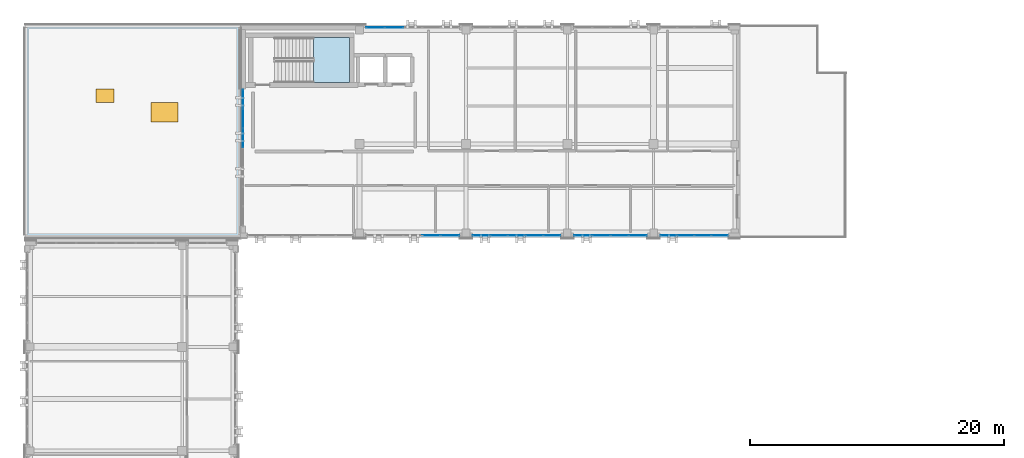
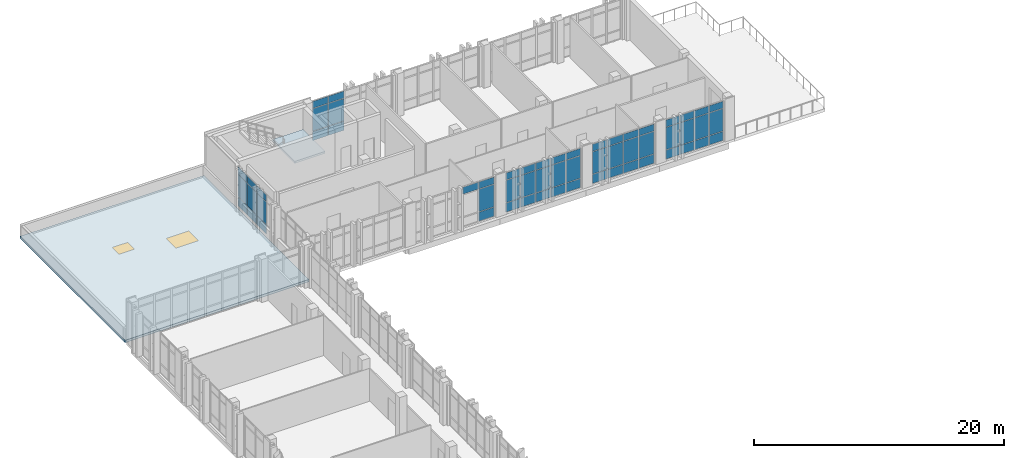
# One storey, part 64 of 90: 58 plates, 2 slabs, 1 door, 1 window, 2 openings, 7 elements without a shape of their own.
"""IFC4 building model written with IfcOpenShell, lengths in metres."""

from ifc_helpers import new_model, si_unit, direction, frame, origin, origin_2d, place, context, subcontext, project, spatial, polyline, rectangle, outline, extrude, material, layer, layer_set, type_object, element, fill, aggregate, save


model = new_model("IFC4")

# Units and contexts
model_context = context("Model", 3, precision=1e-05, world=origin(), true_north=direction((0.0, 1.0)))
body_context = subcontext(model_context, "Body", "Model", "MODEL_VIEW")
ifc_project = project(units=[si_unit("LENGTHUNIT", "METRE"), si_unit("AREAUNIT", "SQUARE_METRE"), si_unit("VOLUMEUNIT", "CUBIC_METRE"), si_unit("PLANEANGLEUNIT", "RADIAN"), si_unit("MASSUNIT", "GRAM", prefix="KILO")], contexts=[model_context])

# Site, building, storey
site_placement = place(None, origin())
site = spatial("IfcSite", under=ifc_project, at=site_placement, CompositionType="ELEMENT")
building_placement = place(site_placement, origin())
building = spatial("IfcBuilding", under=site, at=building_placement, Name="Qalavern Law Courts", CompositionType="ELEMENT")
storey_placement = place(building_placement, frame((0.0, 0.0, 22.800048828125)))
storey = spatial("IfcBuildingStorey", under=building, at=storey_placement, Name="L05", CompositionType="ELEMENT", Elevation=22.800048828125)

# Curtain wall, plates
ifc_material_1 = material(Name="Anodised aluminium and insulated glazing", Category="aluminium")
ifc_layer_1 = layer(ifc_material_1, 0.166015625)
ifc_layer_set_1 = layer_set([ifc_layer_1], Name="Anodised aluminium and insulated glazing")
curtain_wall_type = type_object("IfcCurtainWallType", Name="ENV-CW-LIB", PredefinedType="USERDEFINED", material=ifc_layer_set_1)
curtain_wall_1_placement = place(storey_placement, origin())
curtain_wall_1 = element("IfcCurtainWall", 1, at=curtain_wall_1_placement, inside=storey, type_object=curtain_wall_type, Name="V5 unitised curtain wall L05 west 1", ObjectType="UNITISED CURTAIN WALL", PredefinedType="USERDEFINED")
ifc_material_2 = material(Name="Insulated low-E acoustic glazing", Category="glass")
ifc_layer_2 = layer(ifc_material_2, 0.028076171875)
ifc_layer_set_2 = layer_set([ifc_layer_2], Name="Insulated low-E acoustic glazing")
plate_type_1 = type_object("IfcPlateType", Name="ENV-CWP-28", PredefinedType="CURTAIN_PANEL", material=ifc_layer_set_2)
plate_1_placement = place(storey_placement, frame((19.21240234375, 107.1650390625, 0.048095703125), z_axis=(0.0, 0.0, 1.0), x_axis=(0.0, -1.0, 0.0)))
plate_1 = element("IfcPlate", 2, at=plate_1_placement, type_object=plate_type_1, Name="CW-05 panel 1.1", PredefinedType="CURTAIN_PANEL", context=body_context, shape_type="SweptSolid", body=[
    extrude(rectangle(XDim=1.4736328125, YDim=0.028076171875, at=origin_2d()), origin(), (0.0, 0.0, 1.0), 0.8779296875),
])
plate_2_placement = place(storey_placement, frame((19.21240234375, 107.1650390625, 0.97412109375), z_axis=(0.0, 0.0, 1.0), x_axis=(0.0, -1.0, 0.0)))
plate_2 = element("IfcPlate", 3, at=plate_2_placement, type_object=plate_type_1, Name="CW-05 panel 1.2", PredefinedType="CURTAIN_PANEL", context=body_context, shape_type="SweptSolid", body=[
    extrude(rectangle(XDim=1.4736328125, YDim=0.028076171875, at=origin_2d()), origin(), (0.0, 0.0, 1.0), 2.181884765625),
])
plate_3_placement = place(storey_placement, frame((19.21240234375, 107.1650390625, 3.2041015625), z_axis=(0.0, 0.0, 1.0), x_axis=(0.0, -1.0, 0.0)))
plate_3 = element("IfcPlate", 4, at=plate_3_placement, type_object=plate_type_1, Name="CW-05 panel 1.3", PredefinedType="CURTAIN_PANEL", context=body_context, shape_type="SweptSolid", body=[
    extrude(rectangle(XDim=1.4736328125, YDim=0.028076171875, at=origin_2d()), origin(), (0.0, 0.0, 1.0), 0.677978515625),
])
plate_4_placement = place(storey_placement, frame((19.21240234375, 105.63134765625, 0.048095703125), z_axis=(0.0, 0.0, 1.0), x_axis=(0.0, -1.0, 0.0)))
plate_4 = element("IfcPlate", 5, at=plate_4_placement, type_object=plate_type_1, Name="CW-05 panel 2.1", PredefinedType="CURTAIN_PANEL", context=body_context, shape_type="SweptSolid", body=[
    extrude(rectangle(XDim=1.497802734375, YDim=0.028076171875, at=origin_2d()), origin(), (0.0, 0.0, 1.0), 0.8779296875),
])
plate_5_placement = place(storey_placement, frame((19.21240234375, 105.63134765625, 0.97412109375), z_axis=(0.0, 0.0, 1.0), x_axis=(0.0, -1.0, 0.0)))
plate_5 = element("IfcPlate", 6, at=plate_5_placement, type_object=plate_type_1, Name="CW-05 panel 2.2", PredefinedType="CURTAIN_PANEL", context=body_context, shape_type="SweptSolid", body=[
    extrude(rectangle(XDim=1.497802734375, YDim=0.028076171875, at=origin_2d()), origin(), (0.0, 0.0, 1.0), 2.181884765625),
])
plate_6_placement = place(storey_placement, frame((19.21240234375, 105.63134765625, 3.2041015625), z_axis=(0.0, 0.0, 1.0), x_axis=(0.0, -1.0, 0.0)))
plate_6 = element("IfcPlate", 7, at=plate_6_placement, type_object=plate_type_1, Name="CW-05 panel 2.3", PredefinedType="CURTAIN_PANEL", context=body_context, shape_type="SweptSolid", body=[
    extrude(rectangle(XDim=1.497802734375, YDim=0.028076171875, at=origin_2d()), origin(), (0.0, 0.0, 1.0), 0.677978515625),
])
plate_7_placement = place(storey_placement, frame((19.21240234375, 104.085693359375, 0.048095703125), z_axis=(0.0, 0.0, 1.0), x_axis=(0.0, -1.0, 0.0)))
plate_7 = element("IfcPlate", 8, at=plate_7_placement, type_object=plate_type_1, Name="CW-05 panel 3.1", PredefinedType="CURTAIN_PANEL", context=body_context, shape_type="SweptSolid", body=[
    extrude(rectangle(XDim=1.497802734375, YDim=0.028076171875, at=origin_2d()), origin(), (0.0, 0.0, 1.0), 0.8779296875),
])
plate_8_placement = place(storey_placement, frame((19.21240234375, 104.085693359375, 0.97412109375), z_axis=(0.0, 0.0, 1.0), x_axis=(0.0, -1.0, 0.0)))
plate_8 = element("IfcPlate", 9, at=plate_8_placement, type_object=plate_type_1, Name="CW-05 panel 3.2", PredefinedType="CURTAIN_PANEL", context=body_context, shape_type="SweptSolid", body=[
    extrude(rectangle(XDim=1.497802734375, YDim=0.028076171875, at=origin_2d()), origin(), (0.0, 0.0, 1.0), 2.181884765625),
])
plate_9_placement = place(storey_placement, frame((19.21240234375, 104.085693359375, 3.2041015625), z_axis=(0.0, 0.0, 1.0), x_axis=(0.0, -1.0, 0.0)))
plate_9 = element("IfcPlate", 10, at=plate_9_placement, type_object=plate_type_1, Name="CW-05 panel 3.3", PredefinedType="CURTAIN_PANEL", context=body_context, shape_type="SweptSolid", body=[
    extrude(rectangle(XDim=1.497802734375, YDim=0.028076171875, at=origin_2d()), origin(), (0.0, 0.0, 1.0), 0.677978515625),
])
aggregate(curtain_wall_1, [plate_1, plate_2, plate_3, plate_4, plate_5, plate_6, plate_7, plate_8, plate_9])

curtain_wall_2_placement = place(storey_placement, origin())
curtain_wall_2 = element("IfcCurtainWall", 11, at=curtain_wall_2_placement, inside=storey, type_object=curtain_wall_type, Name="V5 unitised curtain wall L05 south 2", ObjectType="UNITISED CURTAIN WALL", PredefinedType="USERDEFINED")
ifc_layer_3 = layer(ifc_material_2, 0.031982421875)
ifc_layer_set_3 = layer_set([ifc_layer_3], Name="Insulated low-E acoustic glazing")
plate_type_2 = type_object("IfcPlateType", Name="ENV-CWP-32", PredefinedType="CURTAIN_PANEL", material=ifc_layer_set_3)
plate_10_placement = place(storey_placement, frame((34.080078125, 96.392578125, 3.2041015625), z_axis=(0.0, 0.0, 1.0), x_axis=(1.0, 0.0, 0.0)))
plate_10 = element("IfcPlate", 12, at=plate_10_placement, type_object=plate_type_2, Name="CW-05 panel 4.3", PredefinedType="CURTAIN_PANEL", context=body_context, shape_type="SweptSolid", body=[
    extrude(rectangle(XDim=1.431884765625, YDim=0.031982421875, at=origin_2d()), origin(), (0.0, 0.0, 1.0), 0.677978515625),
])
plate_11_placement = place(storey_placement, frame((35.548095703125, 96.392578125, 0.048095703125), z_axis=(0.0, 0.0, 1.0), x_axis=(1.0, 0.0, 0.0)))
plate_11 = element("IfcPlate", 13, at=plate_11_placement, type_object=plate_type_2, Name="CW-05 panel 5.1", PredefinedType="CURTAIN_PANEL", context=body_context, shape_type="SweptSolid", body=[
    extrude(rectangle(XDim=1.407958984375, YDim=0.031982421875, at=origin_2d()), origin(), (0.0, 0.0, 1.0), 0.8779296875),
])
plate_12_placement = place(storey_placement, frame((35.548095703125, 96.392578125, 0.97412109375), z_axis=(0.0, 0.0, 1.0), x_axis=(1.0, 0.0, 0.0)))
plate_12 = element("IfcPlate", 14, at=plate_12_placement, type_object=plate_type_2, Name="CW-05 panel 5.2", PredefinedType="CURTAIN_PANEL", context=body_context, shape_type="SweptSolid", body=[
    extrude(rectangle(XDim=1.407958984375, YDim=0.031982421875, at=origin_2d()), origin(), (0.0, 0.0, 1.0), 2.181884765625),
])
plate_13_placement = place(storey_placement, frame((35.548095703125, 96.392578125, 3.2041015625), z_axis=(0.0, 0.0, 1.0), x_axis=(1.0, 0.0, 0.0)))
plate_13 = element("IfcPlate", 15, at=plate_13_placement, type_object=plate_type_2, Name="CW-05 panel 5.3", PredefinedType="CURTAIN_PANEL", context=body_context, shape_type="SweptSolid", body=[
    extrude(rectangle(XDim=1.407958984375, YDim=0.031982421875, at=origin_2d()), origin(), (0.0, 0.0, 1.0), 0.677978515625),
])
aggregate(curtain_wall_2, [plate_10, plate_11, plate_12, plate_13])

curtain_wall_3_placement = place(storey_placement, origin())
curtain_wall_3 = element("IfcCurtainWall", 16, at=curtain_wall_3_placement, inside=storey, type_object=curtain_wall_type, Name="V5 unitised curtain wall L05 south 3", ObjectType="UNITISED CURTAIN WALL", PredefinedType="USERDEFINED")
ifc_layer_4 = layer(ifc_material_2, 0.035888671875)
ifc_layer_set_4 = layer_set([ifc_layer_4], Name="Insulated low-E acoustic glazing")
plate_type_3 = type_object("IfcPlateType", Name="ENV-CWP-36", PredefinedType="CURTAIN_PANEL", material=ifc_layer_set_4)
plate_14_placement = place(storey_placement, frame((38.011962890625, 96.392578125, 0.048095703125), z_axis=(0.0, 0.0, 1.0), x_axis=(1.0, 0.0, 0.0)))
plate_14 = element("IfcPlate", 17, at=plate_14_placement, type_object=plate_type_3, Name="CW-05 panel 1.1", PredefinedType="CURTAIN_PANEL", context=body_context, shape_type="SweptSolid", body=[
    extrude(rectangle(XDim=1.327880859375, YDim=0.035888671875, at=origin_2d()), origin(), (0.0, 0.0, 1.0), 0.8779296875),
])
plate_15_placement = place(storey_placement, frame((38.011962890625, 96.392578125, 0.97412109375), z_axis=(0.0, 0.0, 1.0), x_axis=(1.0, 0.0, 0.0)))
plate_15 = element("IfcPlate", 18, at=plate_15_placement, type_object=plate_type_3, Name="CW-05 panel 1.2", PredefinedType="CURTAIN_PANEL", context=body_context, shape_type="SweptSolid", body=[
    extrude(rectangle(XDim=1.327880859375, YDim=0.035888671875, at=origin_2d()), origin(), (0.0, 0.0, 1.0), 2.181884765625),
])
plate_16_placement = place(storey_placement, frame((38.011962890625, 96.392578125, 3.2041015625), z_axis=(0.0, 0.0, 1.0), x_axis=(1.0, 0.0, 0.0)))
plate_16 = element("IfcPlate", 19, at=plate_16_placement, type_object=plate_type_3, Name="CW-05 panel 1.3", PredefinedType="CURTAIN_PANEL", context=body_context, shape_type="SweptSolid", body=[
    extrude(rectangle(XDim=1.327880859375, YDim=0.035888671875, at=origin_2d()), origin(), (0.0, 0.0, 1.0), 0.677978515625),
])
plate_17_placement = place(storey_placement, frame((39.39990234375, 96.392578125, 0.048095703125), z_axis=(0.0, 0.0, 1.0), x_axis=(1.0, 0.0, 0.0)))
plate_17 = element("IfcPlate", 20, at=plate_17_placement, type_object=plate_type_3, Name="CW-05 panel 2.1", PredefinedType="CURTAIN_PANEL", context=body_context, shape_type="SweptSolid", body=[
    extrude(rectangle(XDim=1.35205078125, YDim=0.035888671875, at=origin_2d()), origin(), (0.0, 0.0, 1.0), 0.8779296875),
])
plate_18_placement = place(storey_placement, frame((39.39990234375, 96.392578125, 0.97412109375), z_axis=(0.0, 0.0, 1.0), x_axis=(1.0, 0.0, 0.0)))
plate_18 = element("IfcPlate", 21, at=plate_18_placement, type_object=plate_type_3, Name="CW-05 panel 2.2", PredefinedType="CURTAIN_PANEL", context=body_context, shape_type="SweptSolid", body=[
    extrude(rectangle(XDim=1.35205078125, YDim=0.035888671875, at=origin_2d()), origin(), (0.0, 0.0, 1.0), 2.181884765625),
])
plate_19_placement = place(storey_placement, frame((39.39990234375, 96.392578125, 3.2041015625), z_axis=(0.0, 0.0, 1.0), x_axis=(1.0, 0.0, 0.0)))
plate_19 = element("IfcPlate", 22, at=plate_19_placement, type_object=plate_type_3, Name="CW-05 panel 2.3", PredefinedType="CURTAIN_PANEL", context=body_context, shape_type="SweptSolid", body=[
    extrude(rectangle(XDim=1.35205078125, YDim=0.035888671875, at=origin_2d()), origin(), (0.0, 0.0, 1.0), 0.677978515625),
])
plate_20_placement = place(storey_placement, frame((40.800048828125, 96.392578125, 0.048095703125), z_axis=(0.0, 0.0, 1.0), x_axis=(1.0, 0.0, 0.0)))
plate_20 = element("IfcPlate", 23, at=plate_20_placement, type_object=plate_type_3, Name="CW-05 panel 3.1", PredefinedType="CURTAIN_PANEL", context=body_context, shape_type="SweptSolid", body=[
    extrude(rectangle(XDim=1.35205078125, YDim=0.035888671875, at=origin_2d()), origin(), (0.0, 0.0, 1.0), 0.8779296875),
])
plate_21_placement = place(storey_placement, frame((40.800048828125, 96.392578125, 0.97412109375), z_axis=(0.0, 0.0, 1.0), x_axis=(1.0, 0.0, 0.0)))
plate_21 = element("IfcPlate", 24, at=plate_21_placement, type_object=plate_type_3, Name="CW-05 panel 3.2", PredefinedType="CURTAIN_PANEL", context=body_context, shape_type="SweptSolid", body=[
    extrude(rectangle(XDim=1.35205078125, YDim=0.035888671875, at=origin_2d()), origin(), (0.0, 0.0, 1.0), 2.181884765625),
])
plate_22_placement = place(storey_placement, frame((40.800048828125, 96.392578125, 3.2041015625), z_axis=(0.0, 0.0, 1.0), x_axis=(1.0, 0.0, 0.0)))
plate_22 = element("IfcPlate", 25, at=plate_22_placement, type_object=plate_type_3, Name="CW-05 panel 3.3", PredefinedType="CURTAIN_PANEL", context=body_context, shape_type="SweptSolid", body=[
    extrude(rectangle(XDim=1.35205078125, YDim=0.035888671875, at=origin_2d()), origin(), (0.0, 0.0, 1.0), 0.677978515625),
])
plate_23_placement = place(storey_placement, frame((42.199951171875, 96.392578125, 0.048095703125), z_axis=(0.0, 0.0, 1.0), x_axis=(1.0, 0.0, 0.0)))
plate_23 = element("IfcPlate", 26, at=plate_23_placement, type_object=plate_type_3, Name="CW-05 panel 4.1", PredefinedType="CURTAIN_PANEL", context=body_context, shape_type="SweptSolid", body=[
    extrude(rectangle(XDim=1.35205078125, YDim=0.035888671875, at=origin_2d()), origin(), (0.0, 0.0, 1.0), 0.8779296875),
])
plate_24_placement = place(storey_placement, frame((42.199951171875, 96.392578125, 0.97412109375), z_axis=(0.0, 0.0, 1.0), x_axis=(1.0, 0.0, 0.0)))
plate_24 = element("IfcPlate", 27, at=plate_24_placement, type_object=plate_type_3, Name="CW-05 panel 4.2", PredefinedType="CURTAIN_PANEL", context=body_context, shape_type="SweptSolid", body=[
    extrude(rectangle(XDim=1.35205078125, YDim=0.035888671875, at=origin_2d()), origin(), (0.0, 0.0, 1.0), 2.181884765625),
])
plate_25_placement = place(storey_placement, frame((42.199951171875, 96.392578125, 3.2041015625), z_axis=(0.0, 0.0, 1.0), x_axis=(1.0, 0.0, 0.0)))
plate_25 = element("IfcPlate", 28, at=plate_25_placement, type_object=plate_type_3, Name="CW-05 panel 4.3", PredefinedType="CURTAIN_PANEL", context=body_context, shape_type="SweptSolid", body=[
    extrude(rectangle(XDim=1.35205078125, YDim=0.035888671875, at=origin_2d()), origin(), (0.0, 0.0, 1.0), 0.677978515625),
])
plate_26_placement = place(storey_placement, frame((43.587890625, 96.392578125, 0.048095703125), z_axis=(0.0, 0.0, 1.0), x_axis=(1.0, 0.0, 0.0)))
plate_26 = element("IfcPlate", 29, at=plate_26_placement, type_object=plate_type_3, Name="CW-05 panel 5.1", PredefinedType="CURTAIN_PANEL", context=body_context, shape_type="SweptSolid", body=[
    extrude(rectangle(XDim=1.327880859375, YDim=0.035888671875, at=origin_2d()), origin(), (0.0, 0.0, 1.0), 0.8779296875),
])
plate_27_placement = place(storey_placement, frame((43.587890625, 96.392578125, 0.97412109375), z_axis=(0.0, 0.0, 1.0), x_axis=(1.0, 0.0, 0.0)))
plate_27 = element("IfcPlate", 30, at=plate_27_placement, type_object=plate_type_3, Name="CW-05 panel 5.2", PredefinedType="CURTAIN_PANEL", context=body_context, shape_type="SweptSolid", body=[
    extrude(rectangle(XDim=1.327880859375, YDim=0.035888671875, at=origin_2d()), origin(), (0.0, 0.0, 1.0), 2.181884765625),
])
plate_28_placement = place(storey_placement, frame((43.587890625, 96.392578125, 3.2041015625), z_axis=(0.0, 0.0, 1.0), x_axis=(1.0, 0.0, 0.0)))
plate_28 = element("IfcPlate", 31, at=plate_28_placement, type_object=plate_type_3, Name="CW-05 panel 5.3", PredefinedType="CURTAIN_PANEL", context=body_context, shape_type="SweptSolid", body=[
    extrude(rectangle(XDim=1.327880859375, YDim=0.035888671875, at=origin_2d()), origin(), (0.0, 0.0, 1.0), 0.677978515625),
])
aggregate(curtain_wall_3, [plate_14, plate_15, plate_16, plate_17, plate_18, plate_19, plate_20, plate_21, plate_22, plate_23, plate_24, plate_25, plate_26, plate_27, plate_28])

curtain_wall_4_placement = place(storey_placement, origin())
curtain_wall_4 = element("IfcCurtainWall", 32, at=curtain_wall_4_placement, inside=storey, type_object=curtain_wall_type, Name="V5 unitised curtain wall L05 south 4", ObjectType="UNITISED CURTAIN WALL", PredefinedType="USERDEFINED")
ifc_layer_5 = layer(ifc_material_2, 0.0400390625)
ifc_layer_set_5 = layer_set([ifc_layer_5], Name="Insulated low-E acoustic glazing")
plate_type_4 = type_object("IfcPlateType", Name="ENV-CWP-40", PredefinedType="CURTAIN_PANEL", material=ifc_layer_set_5)
plate_29_placement = place(storey_placement, frame((46.037109375, 96.392578125, 0.048095703125), z_axis=(0.0, 0.0, 1.0), x_axis=(1.0, 0.0, 0.0)))
plate_29 = element("IfcPlate", 33, at=plate_29_placement, type_object=plate_type_4, Name="CW-05 panel 1.1", PredefinedType="CURTAIN_PANEL", context=body_context, shape_type="SweptSolid", body=[
    extrude(rectangle(XDim=1.3779296875, YDim=0.0400390625, at=origin_2d()), origin(), (0.0, 0.0, 1.0), 0.8779296875),
])
plate_30_placement = place(storey_placement, frame((46.037109375, 96.392578125, 0.97412109375), z_axis=(0.0, 0.0, 1.0), x_axis=(1.0, 0.0, 0.0)))
plate_30 = element("IfcPlate", 34, at=plate_30_placement, type_object=plate_type_4, Name="CW-05 panel 1.2", PredefinedType="CURTAIN_PANEL", context=body_context, shape_type="SweptSolid", body=[
    extrude(rectangle(XDim=1.3779296875, YDim=0.0400390625, at=origin_2d()), origin(), (0.0, 0.0, 1.0), 2.181884765625),
])
plate_31_placement = place(storey_placement, frame((46.037109375, 96.392578125, 3.2041015625), z_axis=(0.0, 0.0, 1.0), x_axis=(1.0, 0.0, 0.0)))
plate_31 = element("IfcPlate", 35, at=plate_31_placement, type_object=plate_type_4, Name="CW-05 panel 1.3", PredefinedType="CURTAIN_PANEL", context=body_context, shape_type="SweptSolid", body=[
    extrude(rectangle(XDim=1.3779296875, YDim=0.0400390625, at=origin_2d()), origin(), (0.0, 0.0, 1.0), 0.677978515625),
])
plate_32_placement = place(storey_placement, frame((47.47509765625, 96.392578125, 0.048095703125), z_axis=(0.0, 0.0, 1.0), x_axis=(1.0, 0.0, 0.0)))
plate_32 = element("IfcPlate", 36, at=plate_32_placement, type_object=plate_type_4, Name="CW-05 panel 2.1", PredefinedType="CURTAIN_PANEL", context=body_context, shape_type="SweptSolid", body=[
    extrude(rectangle(XDim=1.402099609375, YDim=0.0400390625, at=origin_2d()), origin(), (0.0, 0.0, 1.0), 0.8779296875),
])
plate_33_placement = place(storey_placement, frame((47.47509765625, 96.392578125, 0.97412109375), z_axis=(0.0, 0.0, 1.0), x_axis=(1.0, 0.0, 0.0)))
plate_33 = element("IfcPlate", 37, at=plate_33_placement, type_object=plate_type_4, Name="CW-05 panel 2.2", PredefinedType="CURTAIN_PANEL", context=body_context, shape_type="SweptSolid", body=[
    extrude(rectangle(XDim=1.402099609375, YDim=0.0400390625, at=origin_2d()), origin(), (0.0, 0.0, 1.0), 2.181884765625),
])
plate_34_placement = place(storey_placement, frame((47.47509765625, 96.392578125, 3.2041015625), z_axis=(0.0, 0.0, 1.0), x_axis=(1.0, 0.0, 0.0)))
plate_34 = element("IfcPlate", 38, at=plate_34_placement, type_object=plate_type_4, Name="CW-05 panel 2.3", PredefinedType="CURTAIN_PANEL", context=body_context, shape_type="SweptSolid", body=[
    extrude(rectangle(XDim=1.402099609375, YDim=0.0400390625, at=origin_2d()), origin(), (0.0, 0.0, 1.0), 0.677978515625),
])
plate_35_placement = place(storey_placement, frame((48.925048828125, 96.392578125, 0.048095703125), z_axis=(0.0, 0.0, 1.0), x_axis=(1.0, 0.0, 0.0)))
plate_35 = element("IfcPlate", 39, at=plate_35_placement, type_object=plate_type_4, Name="CW-05 panel 3.1", PredefinedType="CURTAIN_PANEL", context=body_context, shape_type="SweptSolid", body=[
    extrude(rectangle(XDim=1.402099609375, YDim=0.0400390625, at=origin_2d()), origin(), (0.0, 0.0, 1.0), 0.8779296875),
])
plate_36_placement = place(storey_placement, frame((48.925048828125, 96.392578125, 0.97412109375), z_axis=(0.0, 0.0, 1.0), x_axis=(1.0, 0.0, 0.0)))
plate_36 = element("IfcPlate", 40, at=plate_36_placement, type_object=plate_type_4, Name="CW-05 panel 3.2", PredefinedType="CURTAIN_PANEL", context=body_context, shape_type="SweptSolid", body=[
    extrude(rectangle(XDim=1.402099609375, YDim=0.0400390625, at=origin_2d()), origin(), (0.0, 0.0, 1.0), 2.181884765625),
])
plate_37_placement = place(storey_placement, frame((48.925048828125, 96.392578125, 3.2041015625), z_axis=(0.0, 0.0, 1.0), x_axis=(1.0, 0.0, 0.0)))
plate_37 = element("IfcPlate", 41, at=plate_37_placement, type_object=plate_type_4, Name="CW-05 panel 3.3", PredefinedType="CURTAIN_PANEL", context=body_context, shape_type="SweptSolid", body=[
    extrude(rectangle(XDim=1.402099609375, YDim=0.0400390625, at=origin_2d()), origin(), (0.0, 0.0, 1.0), 0.677978515625),
])
plate_38_placement = place(storey_placement, frame((50.363037109375, 96.392578125, 0.048095703125), z_axis=(0.0, 0.0, 1.0), x_axis=(1.0, 0.0, 0.0)))
plate_38 = element("IfcPlate", 42, at=plate_38_placement, type_object=plate_type_4, Name="CW-05 panel 4.1", PredefinedType="CURTAIN_PANEL", context=body_context, shape_type="SweptSolid", body=[
    extrude(rectangle(XDim=1.3779296875, YDim=0.0400390625, at=origin_2d()), origin(), (0.0, 0.0, 1.0), 0.8779296875),
])
plate_39_placement = place(storey_placement, frame((50.363037109375, 96.392578125, 0.97412109375), z_axis=(0.0, 0.0, 1.0), x_axis=(1.0, 0.0, 0.0)))
plate_39 = element("IfcPlate", 43, at=plate_39_placement, type_object=plate_type_4, Name="CW-05 panel 4.2", PredefinedType="CURTAIN_PANEL", context=body_context, shape_type="SweptSolid", body=[
    extrude(rectangle(XDim=1.3779296875, YDim=0.0400390625, at=origin_2d()), origin(), (0.0, 0.0, 1.0), 2.181884765625),
])
plate_40_placement = place(storey_placement, frame((50.363037109375, 96.392578125, 3.2041015625), z_axis=(0.0, 0.0, 1.0), x_axis=(1.0, 0.0, 0.0)))
plate_40 = element("IfcPlate", 44, at=plate_40_placement, type_object=plate_type_4, Name="CW-05 panel 4.3", PredefinedType="CURTAIN_PANEL", context=body_context, shape_type="SweptSolid", body=[
    extrude(rectangle(XDim=1.3779296875, YDim=0.0400390625, at=origin_2d()), origin(), (0.0, 0.0, 1.0), 0.677978515625),
])
aggregate(curtain_wall_4, [plate_29, plate_30, plate_31, plate_32, plate_33, plate_34, plate_35, plate_36, plate_37, plate_38, plate_39, plate_40])

curtain_wall_5_placement = place(storey_placement, origin())
curtain_wall_5 = element("IfcCurtainWall", 45, at=curtain_wall_5_placement, inside=storey, type_object=curtain_wall_type, Name="V5 unitised curtain wall L05 north 4", ObjectType="UNITISED CURTAIN WALL", PredefinedType="USERDEFINED")
plate_41_placement = place(storey_placement, frame((31.1201171875, 112.8076171875, 0.048095703125), z_axis=(0.0, 0.0, 1.0), x_axis=(-1.0, 0.0, 0.0)))
plate_41 = element("IfcPlate", 46, at=plate_41_placement, type_object=plate_type_4, Name="CW-05 panel 4.1", PredefinedType="CURTAIN_PANEL", context=body_context, shape_type="SweptSolid", body=[
    extrude(rectangle(XDim=1.431884765625, YDim=0.0400390625, at=origin_2d()), origin(), (0.0, 0.0, 1.0), 0.8779296875),
])
plate_42_placement = place(storey_placement, frame((31.1201171875, 112.8076171875, 0.97412109375), z_axis=(0.0, 0.0, 1.0), x_axis=(-1.0, 0.0, 0.0)))
plate_42 = element("IfcPlate", 47, at=plate_42_placement, type_object=plate_type_4, Name="CW-05 panel 4.2", PredefinedType="CURTAIN_PANEL", context=body_context, shape_type="SweptSolid", body=[
    extrude(rectangle(XDim=1.431884765625, YDim=0.0400390625, at=origin_2d()), origin(), (0.0, 0.0, 1.0), 2.181884765625),
])
plate_43_placement = place(storey_placement, frame((31.1201171875, 112.8076171875, 3.2041015625), z_axis=(0.0, 0.0, 1.0), x_axis=(-1.0, 0.0, 0.0)))
plate_43 = element("IfcPlate", 48, at=plate_43_placement, type_object=plate_type_4, Name="CW-05 panel 4.3", PredefinedType="CURTAIN_PANEL", context=body_context, shape_type="SweptSolid", body=[
    extrude(rectangle(XDim=1.431884765625, YDim=0.0400390625, at=origin_2d()), origin(), (0.0, 0.0, 1.0), 0.677978515625),
])
plate_44_placement = place(storey_placement, frame((29.652099609375, 112.8076171875, 0.048095703125), z_axis=(0.0, 0.0, 1.0), x_axis=(-1.0, 0.0, 0.0)))
plate_44 = element("IfcPlate", 49, at=plate_44_placement, type_object=plate_type_4, Name="CW-05 panel 5.1", PredefinedType="CURTAIN_PANEL", context=body_context, shape_type="SweptSolid", body=[
    extrude(rectangle(XDim=1.407958984375, YDim=0.0400390625, at=origin_2d()), origin(), (0.0, 0.0, 1.0), 0.8779296875),
])
plate_45_placement = place(storey_placement, frame((29.652099609375, 112.8076171875, 0.97412109375), z_axis=(0.0, 0.0, 1.0), x_axis=(-1.0, 0.0, 0.0)))
plate_45 = element("IfcPlate", 50, at=plate_45_placement, type_object=plate_type_4, Name="CW-05 panel 5.2", PredefinedType="CURTAIN_PANEL", context=body_context, shape_type="SweptSolid", body=[
    extrude(rectangle(XDim=1.407958984375, YDim=0.0400390625, at=origin_2d()), origin(), (0.0, 0.0, 1.0), 2.181884765625),
])
plate_46_placement = place(storey_placement, frame((29.652099609375, 112.8076171875, 3.2041015625), z_axis=(0.0, 0.0, 1.0), x_axis=(-1.0, 0.0, 0.0)))
plate_46 = element("IfcPlate", 51, at=plate_46_placement, type_object=plate_type_4, Name="CW-05 panel 5.3", PredefinedType="CURTAIN_PANEL", context=body_context, shape_type="SweptSolid", body=[
    extrude(rectangle(XDim=1.407958984375, YDim=0.0400390625, at=origin_2d()), origin(), (0.0, 0.0, 1.0), 0.677978515625),
])
aggregate(curtain_wall_5, [plate_41, plate_42, plate_43, plate_44, plate_45, plate_46])

curtain_wall_6_placement = place(storey_placement, origin())
curtain_wall_6 = element("IfcCurtainWall", 52, at=curtain_wall_6_placement, inside=storey, type_object=curtain_wall_type, Name="V5 unitised curtain wall L05 south 5", ObjectType="UNITISED CURTAIN WALL", PredefinedType="USERDEFINED")
ifc_layer_6 = layer(ifc_material_2, 0.0439453125)
ifc_layer_set_6 = layer_set([ifc_layer_6], Name="Insulated low-E acoustic glazing")
plate_type_5 = type_object("IfcPlateType", Name="ENV-CWP-44", PredefinedType="CURTAIN_PANEL", material=ifc_layer_set_6)
plate_47_placement = place(storey_placement, frame((52.787109375, 96.392578125, 0.048095703125), z_axis=(0.0, 0.0, 1.0), x_axis=(1.0, 0.0, 0.0)))
plate_47 = element("IfcPlate", 53, at=plate_47_placement, type_object=plate_type_5, Name="CW-05 panel 1.1", PredefinedType="CURTAIN_PANEL", context=body_context, shape_type="SweptSolid", body=[
    extrude(rectangle(XDim=1.278076171875, YDim=0.0439453125, at=origin_2d()), origin(), (0.0, 0.0, 1.0), 0.8779296875),
])
plate_48_placement = place(storey_placement, frame((52.787109375, 96.392578125, 0.97412109375), z_axis=(0.0, 0.0, 1.0), x_axis=(1.0, 0.0, 0.0)))
plate_48 = element("IfcPlate", 54, at=plate_48_placement, type_object=plate_type_5, Name="CW-05 panel 1.2", PredefinedType="CURTAIN_PANEL", context=body_context, shape_type="SweptSolid", body=[
    extrude(rectangle(XDim=1.278076171875, YDim=0.0439453125, at=origin_2d()), origin(), (0.0, 0.0, 1.0), 2.181884765625),
])
plate_49_placement = place(storey_placement, frame((52.787109375, 96.392578125, 3.2041015625), z_axis=(0.0, 0.0, 1.0), x_axis=(1.0, 0.0, 0.0)))
plate_49 = element("IfcPlate", 55, at=plate_49_placement, type_object=plate_type_5, Name="CW-05 panel 1.3", PredefinedType="CURTAIN_PANEL", context=body_context, shape_type="SweptSolid", body=[
    extrude(rectangle(XDim=1.278076171875, YDim=0.0439453125, at=origin_2d()), origin(), (0.0, 0.0, 1.0), 0.677978515625),
])
plate_50_placement = place(storey_placement, frame((54.125, 96.392578125, 0.048095703125), z_axis=(0.0, 0.0, 1.0), x_axis=(1.0, 0.0, 0.0)))
plate_50 = element("IfcPlate", 56, at=plate_50_placement, type_object=plate_type_5, Name="CW-05 panel 2.1", PredefinedType="CURTAIN_PANEL", context=body_context, shape_type="SweptSolid", body=[
    extrude(rectangle(XDim=1.302001953125, YDim=0.0439453125, at=origin_2d()), origin(), (0.0, 0.0, 1.0), 0.8779296875),
])
plate_51_placement = place(storey_placement, frame((54.125, 96.392578125, 0.97412109375), z_axis=(0.0, 0.0, 1.0), x_axis=(1.0, 0.0, 0.0)))
plate_51 = element("IfcPlate", 57, at=plate_51_placement, type_object=plate_type_5, Name="CW-05 panel 2.2", PredefinedType="CURTAIN_PANEL", context=body_context, shape_type="SweptSolid", body=[
    extrude(rectangle(XDim=1.302001953125, YDim=0.0439453125, at=origin_2d()), origin(), (0.0, 0.0, 1.0), 2.181884765625),
])
plate_52_placement = place(storey_placement, frame((54.125, 96.392578125, 3.2041015625), z_axis=(0.0, 0.0, 1.0), x_axis=(1.0, 0.0, 0.0)))
plate_52 = element("IfcPlate", 58, at=plate_52_placement, type_object=plate_type_5, Name="CW-05 panel 2.3", PredefinedType="CURTAIN_PANEL", context=body_context, shape_type="SweptSolid", body=[
    extrude(rectangle(XDim=1.302001953125, YDim=0.0439453125, at=origin_2d()), origin(), (0.0, 0.0, 1.0), 0.677978515625),
])
plate_53_placement = place(storey_placement, frame((55.47509765625, 96.392578125, 0.048095703125), z_axis=(0.0, 0.0, 1.0), x_axis=(1.0, 0.0, 0.0)))
plate_53 = element("IfcPlate", 59, at=plate_53_placement, type_object=plate_type_5, Name="CW-05 panel 3.1", PredefinedType="CURTAIN_PANEL", context=body_context, shape_type="SweptSolid", body=[
    extrude(rectangle(XDim=1.302001953125, YDim=0.0439453125, at=origin_2d()), origin(), (0.0, 0.0, 1.0), 0.8779296875),
])
plate_54_placement = place(storey_placement, frame((55.47509765625, 96.392578125, 0.97412109375), z_axis=(0.0, 0.0, 1.0), x_axis=(1.0, 0.0, 0.0)))
plate_54 = element("IfcPlate", 60, at=plate_54_placement, type_object=plate_type_5, Name="CW-05 panel 3.2", PredefinedType="CURTAIN_PANEL", context=body_context, shape_type="SweptSolid", body=[
    extrude(rectangle(XDim=1.302001953125, YDim=0.0439453125, at=origin_2d()), origin(), (0.0, 0.0, 1.0), 2.181884765625),
])
plate_55_placement = place(storey_placement, frame((55.47509765625, 96.392578125, 3.2041015625), z_axis=(0.0, 0.0, 1.0), x_axis=(1.0, 0.0, 0.0)))
plate_55 = element("IfcPlate", 61, at=plate_55_placement, type_object=plate_type_5, Name="CW-05 panel 3.3", PredefinedType="CURTAIN_PANEL", context=body_context, shape_type="SweptSolid", body=[
    extrude(rectangle(XDim=1.302001953125, YDim=0.0439453125, at=origin_2d()), origin(), (0.0, 0.0, 1.0), 0.677978515625),
])
plate_56_placement = place(storey_placement, frame((56.81298828125, 96.392578125, 0.048095703125), z_axis=(0.0, 0.0, 1.0), x_axis=(1.0, 0.0, 0.0)))
plate_56 = element("IfcPlate", 62, at=plate_56_placement, type_object=plate_type_5, Name="CW-05 panel 4.1", PredefinedType="CURTAIN_PANEL", context=body_context, shape_type="SweptSolid", body=[
    extrude(rectangle(XDim=1.278076171875, YDim=0.0439453125, at=origin_2d()), origin(), (0.0, 0.0, 1.0), 0.8779296875),
])
plate_57_placement = place(storey_placement, frame((56.81298828125, 96.392578125, 0.97412109375), z_axis=(0.0, 0.0, 1.0), x_axis=(1.0, 0.0, 0.0)))
plate_57 = element("IfcPlate", 63, at=plate_57_placement, type_object=plate_type_5, Name="CW-05 panel 4.2", PredefinedType="CURTAIN_PANEL", context=body_context, shape_type="SweptSolid", body=[
    extrude(rectangle(XDim=1.278076171875, YDim=0.0439453125, at=origin_2d()), origin(), (0.0, 0.0, 1.0), 2.181884765625),
])
plate_58_placement = place(storey_placement, frame((56.81298828125, 96.392578125, 3.2041015625), z_axis=(0.0, 0.0, 1.0), x_axis=(1.0, 0.0, 0.0)))
plate_58 = element("IfcPlate", 64, at=plate_58_placement, type_object=plate_type_5, Name="CW-05 panel 4.3", PredefinedType="CURTAIN_PANEL", context=body_context, shape_type="SweptSolid", body=[
    extrude(rectangle(XDim=1.278076171875, YDim=0.0439453125, at=origin_2d()), origin(), (0.0, 0.0, 1.0), 0.677978515625),
])
aggregate(curtain_wall_6, [plate_47, plate_48, plate_49, plate_50, plate_51, plate_52, plate_53, plate_54, plate_55, plate_56, plate_57, plate_58])

# Stair, slab
ifc_material_3 = material(Name="Concrete C35/45", Category="concrete")
stair_type = type_object("IfcStairType", Name="INT-STAIR-1700", PredefinedType="HALF_TURN_STAIR", material=ifc_material_3)
stair_placement = place(storey_placement, origin())
stair = element("IfcStair", 65, at=stair_placement, inside=storey, type_object=stair_type, Name="L05 ST-K3", PredefinedType="HALF_TURN_STAIR")
ifc_layer_7 = layer(ifc_material_3, 0.199951171875)
ifc_layer_set_7 = layer_set([ifc_layer_7], Name="Concrete C35/45")
slab_type_1 = type_object("IfcSlabType", Name="INT-LANDING-200", PredefinedType="LANDING", material=ifc_layer_set_7)
slab_1_placement = place(storey_placement, frame((0.0, 0.0, 1.89990234375)))
slab_1 = element("IfcSlab", 66, at=slab_1_placement, type_object=slab_type_1, Name="ST-K3 landing 1", PredefinedType="LANDING", context=body_context, shape_type="SweptSolid", body=[
    extrude(outline(polyline([(24.780029296875, 108.449951171875), (27.60009765625, 108.449951171875), (27.60009765625, 112.0), (24.780029296875, 112.0), (24.780029296875, 108.449951171875)])), origin(), (0.0, 0.0, 1.0), 0.199951171875),
])
aggregate(stair, [slab_1])

# Slab, openings, door, window
ifc_layer_8 = layer(ifc_material_3, 0.236083984375)
ifc_layer_set_8 = layer_set([ifc_layer_8], Name="Concrete C35/45")
slab_type_2 = type_object("IfcSlabType", Name="STR-ROOF-FLAT236", PredefinedType="ROOF", material=ifc_layer_set_8)
slab_2_placement = place(storey_placement, frame((0.0, 0.0, -0.236083984375)))
slab_2 = element("IfcSlab", 67, at=slab_2_placement, inside=storey, type_object=slab_type_2, Name="V5 insulated flat roof slab L05", PredefinedType="ROOF", context=body_context, shape_type="SweptSolid", body=[
    extrude(outline(polyline([(2.0, 96.199951171875), (19.02001953125, 96.199951171875), (19.02001953125, 113.0), (2.0, 113.0), (2.0, 96.199951171875)])), origin(), (0.0, 0.0, 1.0), 0.236083984375),
])
opening_1_placement = place(slab_2_placement, frame((8.31005859375, 107.39990234375, 0.0)))
opening_1 = element("IfcOpeningElement", 68, at=opening_1_placement, cuts=slab_2, Name="Opening RH-03", PredefinedType="OPENING", context=body_context, shape_type="SweptSolid", body=[
    extrude(rectangle(XDim=1.39990234375, YDim=1.080078125, at=origin_2d()), frame((0.0, 0.0, -0.014892578125)), (0.0, 0.0, 1.0), 0.265869140625),
])
opening_2_placement = place(slab_2_placement, frame((13.010009765625, 106.10009765625, 0.0)))
opening_2 = element("IfcOpeningElement", 69, at=opening_2_placement, cuts=slab_2, Name="Opening SK-07", PredefinedType="OPENING", context=body_context, shape_type="SweptSolid", body=[
    extrude(rectangle(XDim=2.10009765625, YDim=1.550048828125, at=origin_2d()), frame((0.0, 0.0, -0.014892578125)), (0.0, 0.0, 1.0), 0.265869140625),
])
ifc_material_4 = material(Name="Thermally broken anodised aluminium and laminated safety glass", Category="aluminium")
door_type = type_object("IfcDoorType", Name="ENV-HT-1400x1080", OperationType="SINGLE_SWING_LEFT", PredefinedType="TRAPDOOR", material=ifc_material_4)
door_placement = place(opening_1_placement, frame((0.0, 0.0, 0.18603515625)))
door = element("IfcDoor", 70, at=door_placement, inside=storey, type_object=door_type, Name="V5 roof maintenance access hatch L05", OperationType="SINGLE_SWING_LEFT", OverallHeight=1.080078125, OverallWidth=1.39990234375, PredefinedType="TRAPDOOR", context=body_context, shape_type="SweptSolid", body=[
    extrude(rectangle(XDim=1.39990234375, YDim=1.080078125, at=origin_2d()), origin(), (0.0, 0.0, 1.0), 0.050048828125),
])
fill(opening_1, door)
ifc_material_5 = material(Name="Anodised aluminium skylight with laminated low-E glazing", Category="aluminium")
window_type = type_object("IfcWindowType", Name="ENV-SKY-2100x1550", PartitioningType="SINGLE_PANEL", PredefinedType="SKYLIGHT", material=ifc_material_5)
window_placement = place(opening_2_placement, frame((0.0, 0.0, 0.18603515625)))
window = element("IfcWindow", 71, at=window_placement, inside=storey, type_object=window_type, Name="V5 rooftop daylight skylight L05", OverallHeight=1.550048828125, OverallWidth=2.10009765625, PartitioningType="SINGLE_PANEL", PredefinedType="SKYLIGHT", context=body_context, shape_type="SweptSolid", body=[
    extrude(rectangle(XDim=2.10009765625, YDim=1.550048828125, at=origin_2d()), origin(), (0.0, 0.0, 1.0), 0.050048828125),
])
fill(opening_2, window)

save(model, "model.ifc")
